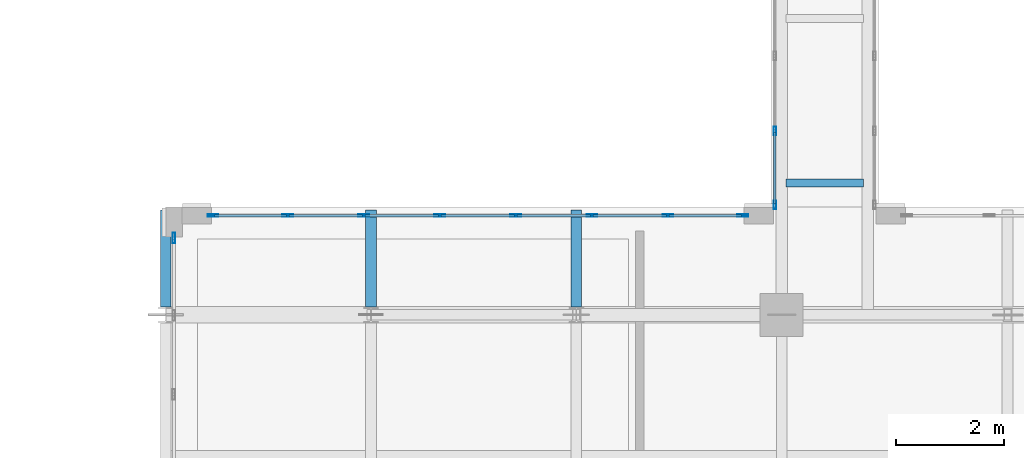
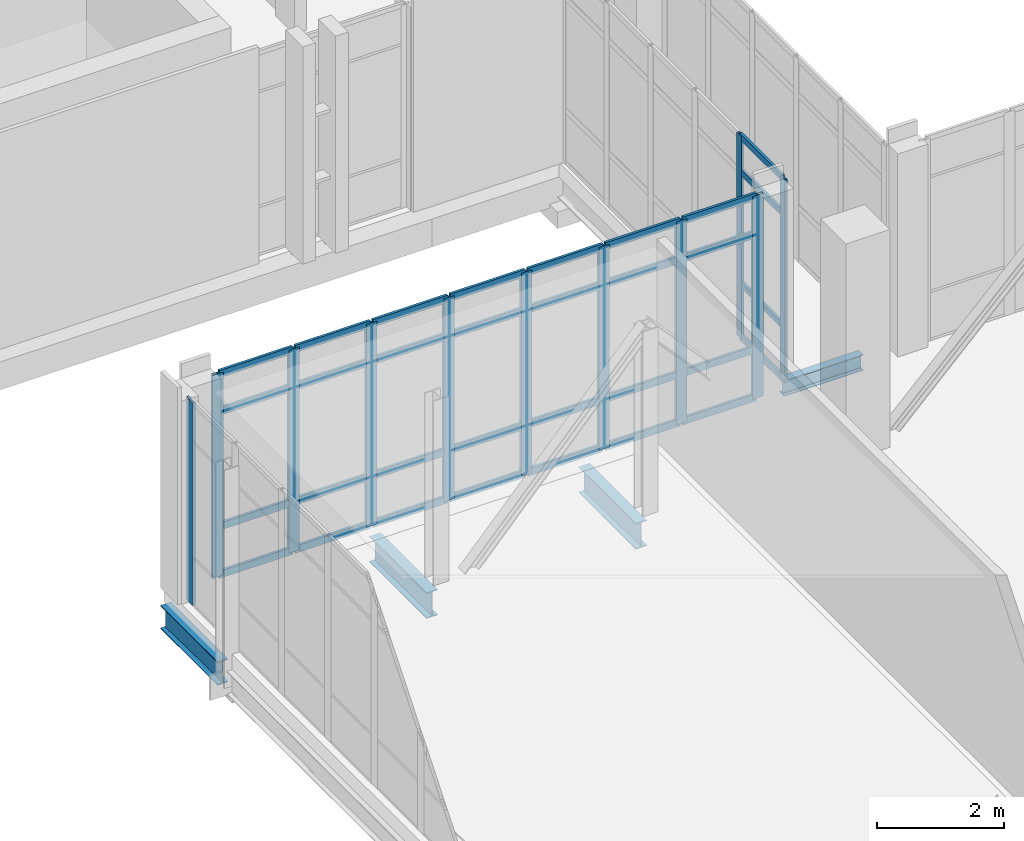
# One storey, part 17 of 193: 43 members, 4 beams, 3 elements without a shape of their own.
"""IFC4 building model written with IfcOpenShell, lengths in metres."""

from ifc_helpers import new_model, si_unit, direction, frame, origin, origin_2d, place, context, subcontext, project, spatial, hollow_rectangle, i_section, extrude, material, layer, layer_set, material_profile, profile_set, type_object, element, aggregate, save


model = new_model("IFC4")

# Units and contexts
model_context = context("Model", 3, precision=1e-05, world=origin(), true_north=direction((0.0, 1.0)))
body_context = subcontext(model_context, "Body", "Model", "MODEL_VIEW")
ifc_project = project(units=[si_unit("LENGTHUNIT", "METRE"), si_unit("AREAUNIT", "SQUARE_METRE"), si_unit("VOLUMEUNIT", "CUBIC_METRE"), si_unit("PLANEANGLEUNIT", "RADIAN"), si_unit("MASSUNIT", "GRAM", prefix="KILO")], contexts=[model_context])

# Site, building, storey
site_placement = place(None, origin())
site = spatial("IfcSite", under=ifc_project, at=site_placement, CompositionType="ELEMENT")
building_placement = place(site_placement, origin())
building = spatial("IfcBuilding", under=site, at=building_placement, Name="Qalavern Law Courts", CompositionType="ELEMENT")
storey_placement = place(building_placement, frame((0.0, 0.0, 10.199951171875)))
storey = spatial("IfcBuildingStorey", under=building, at=storey_placement, Name="L02", CompositionType="ELEMENT", Elevation=10.199951171875)

# Curtain wall, members
ifc_material_1 = material(Name="Anodised aluminium and insulated glazing", Category="aluminium")
ifc_layer_1 = layer(ifc_material_1, 0.14990234375)
ifc_layer_set_1 = layer_set([ifc_layer_1], Name="Anodised aluminium and insulated glazing")
curtain_wall_type_1 = type_object("IfcCurtainWallType", Name="ENV-CW-BRG", PredefinedType="USERDEFINED", material=ifc_layer_set_1)
curtain_wall_1_placement = place(storey_placement, origin())
curtain_wall_1 = element("IfcCurtainWall", 1, at=curtain_wall_1_placement, inside=storey, type_object=curtain_wall_type_1, Name="Bridge BR-V1-V3 glazed curtain wall L02-1", ObjectType="UNITISED CURTAIN WALL", PredefinedType="USERDEFINED")
ifc_material_2 = material(Name="Anodised aluminium", Category="aluminium")
ifc_material_profile_1 = material_profile(ifc_material_2, hollow_rectangle(XDim=0.048095703125, YDim=0.159912109375, WallThickness=0.00390625, at=origin_2d()), Name="ALU MULLION 48x160")
ifc_profile_set_1 = profile_set([ifc_material_profile_1], Name="Anodised aluminium")
member_type_1 = type_object("IfcMemberType", Name="ENV-CWM-48x160", PredefinedType="MULLION", material=ifc_profile_set_1)
member_1_placement = place(storey_placement, frame((16.675048828125, 35.416015625, 0.0), z_axis=(0.0, 0.0, 1.0), x_axis=(1.0, 0.0, 0.0)))
member_1 = element("IfcMember", 2, at=member_1_placement, type_object=member_type_1, Name="CW-06 mullion 5", PredefinedType="MULLION", context=body_context, shape_type="SweptSolid", body=[
    extrude(hollow_rectangle(XDim=0.048095703125, YDim=0.159912109375, WallThickness=0.00390625, at=origin_2d()), origin(), (0.0, 0.0, 1.0), 3.9150390625),
])
member_2_placement = place(storey_placement, frame((16.675048828125, 34.0439453125, 0.0), z_axis=(0.0, 0.0, 1.0), x_axis=(1.0, 0.0, 0.0)))
member_2 = element("IfcMember", 3, at=member_2_placement, type_object=member_type_1, Name="CW-06 mullion 6", PredefinedType="MULLION", context=body_context, shape_type="SweptSolid", body=[
    extrude(hollow_rectangle(XDim=0.048095703125, YDim=0.159912109375, WallThickness=0.00390625, at=origin_2d()), origin(), (0.0, 0.0, 1.0), 3.9150390625),
])

ifc_layer_2 = layer(ifc_material_1, 0.199951171875)
ifc_layer_set_2 = layer_set([ifc_layer_2], Name="Anodised aluminium and insulated glazing")
curtain_wall_type_2 = type_object("IfcCurtainWallType", Name="ENV-CW-FOYER", PredefinedType="USERDEFINED", material=ifc_layer_set_2)
curtain_wall_2_placement = place(storey_placement, origin())
curtain_wall_2 = element("IfcCurtainWall", 4, at=curtain_wall_2_placement, inside=storey, type_object=curtain_wall_type_2, Name="V1 unitised curtain wall L02 north 1", ObjectType="UNITISED CURTAIN WALL", PredefinedType="USERDEFINED")
ifc_material_profile_2 = material_profile(ifc_material_2, hollow_rectangle(XDim=0.048095703125, YDim=0.199951171875, WallThickness=0.00439453125, at=origin_2d()), Name="ALU MULLION 48x200")
ifc_profile_set_2 = profile_set([ifc_material_profile_2], Name="Anodised aluminium")
member_type_2 = type_object("IfcMemberType", Name="ENV-CWM-48x200", PredefinedType="MULLION", material=ifc_profile_set_2)
member_3_placement = place(storey_placement, frame((16.075927734375, 33.844970703125, 0.0), z_axis=(0.0, 0.0, 1.0), x_axis=(0.0, -1.0, 0.0)))
member_3 = element("IfcMember", 5, at=member_3_placement, type_object=member_type_2, Name="CW-01 mullion 1", PredefinedType="MULLION", context=body_context, shape_type="SweptSolid", body=[
    extrude(hollow_rectangle(XDim=0.048095703125, YDim=0.199951171875, WallThickness=0.00439453125, at=origin_2d()), origin(), (0.0, 0.0, 1.0), 3.9150390625),
])
member_4_placement = place(storey_placement, frame((14.6865234375, 33.844970703125, 0.0), z_axis=(0.0, 0.0, 1.0), x_axis=(0.0, -1.0, 0.0)))
member_4 = element("IfcMember", 6, at=member_4_placement, type_object=member_type_2, Name="CW-01 mullion 2", PredefinedType="MULLION", context=body_context, shape_type="SweptSolid", body=[
    extrude(hollow_rectangle(XDim=0.048095703125, YDim=0.199951171875, WallThickness=0.00439453125, at=origin_2d()), origin(), (0.0, 0.0, 1.0), 3.9150390625),
])
member_5_placement = place(storey_placement, frame((13.27294921875, 33.844970703125, 0.0), z_axis=(0.0, 0.0, 1.0), x_axis=(0.0, -1.0, 0.0)))
member_5 = element("IfcMember", 7, at=member_5_placement, type_object=member_type_2, Name="CW-01 mullion 3", PredefinedType="MULLION", context=body_context, shape_type="SweptSolid", body=[
    extrude(hollow_rectangle(XDim=0.048095703125, YDim=0.199951171875, WallThickness=0.00439453125, at=origin_2d()), origin(), (0.0, 0.0, 1.0), 3.9150390625),
])
member_6_placement = place(storey_placement, frame((11.859375, 33.844970703125, 0.0), z_axis=(0.0, 0.0, 1.0), x_axis=(0.0, -1.0, 0.0)))
member_6 = element("IfcMember", 8, at=member_6_placement, type_object=member_type_2, Name="CW-01 mullion 4", PredefinedType="MULLION", context=body_context, shape_type="SweptSolid", body=[
    extrude(hollow_rectangle(XDim=0.048095703125, YDim=0.199951171875, WallThickness=0.00439453125, at=origin_2d()), origin(), (0.0, 0.0, 1.0), 3.9150390625),
])
member_7_placement = place(storey_placement, frame((10.44580078125, 33.844970703125, 0.0), z_axis=(0.0, 0.0, 1.0), x_axis=(0.0, -1.0, 0.0)))
member_7 = element("IfcMember", 9, at=member_7_placement, type_object=member_type_2, Name="CW-01 mullion 5", PredefinedType="MULLION", context=body_context, shape_type="SweptSolid", body=[
    extrude(hollow_rectangle(XDim=0.048095703125, YDim=0.199951171875, WallThickness=0.00439453125, at=origin_2d()), origin(), (0.0, 0.0, 1.0), 3.9150390625),
])
member_8_placement = place(storey_placement, frame((9.0322265625, 33.844970703125, 0.0), z_axis=(0.0, 0.0, 1.0), x_axis=(0.0, -1.0, 0.0)))
member_8 = element("IfcMember", 10, at=member_8_placement, type_object=member_type_2, Name="CW-01 mullion 6", PredefinedType="MULLION", context=body_context, shape_type="SweptSolid", body=[
    extrude(hollow_rectangle(XDim=0.048095703125, YDim=0.199951171875, WallThickness=0.00439453125, at=origin_2d()), origin(), (0.0, 0.0, 1.0), 3.9150390625),
])
member_9_placement = place(storey_placement, frame((7.61865234375, 33.844970703125, 0.0), z_axis=(0.0, 0.0, 1.0), x_axis=(0.0, -1.0, 0.0)))
member_9 = element("IfcMember", 11, at=member_9_placement, type_object=member_type_2, Name="CW-01 mullion 7", PredefinedType="MULLION", context=body_context, shape_type="SweptSolid", body=[
    extrude(hollow_rectangle(XDim=0.048095703125, YDim=0.199951171875, WallThickness=0.00439453125, at=origin_2d()), origin(), (0.0, 0.0, 1.0), 3.9150390625),
])
member_10_placement = place(storey_placement, frame((6.22900390625, 33.844970703125, 0.0), z_axis=(0.0, 0.0, 1.0), x_axis=(0.0, -1.0, 0.0)))
member_10 = element("IfcMember", 12, at=member_10_placement, type_object=member_type_2, Name="CW-01 mullion 8", PredefinedType="MULLION", context=body_context, shape_type="SweptSolid", body=[
    extrude(hollow_rectangle(XDim=0.048095703125, YDim=0.199951171875, WallThickness=0.00439453125, at=origin_2d()), origin(), (0.0, 0.0, 1.0), 3.9150390625),
])

# Curtain wall, member
curtain_wall_3_placement = place(storey_placement, origin())
curtain_wall_3 = element("IfcCurtainWall", 13, at=curtain_wall_3_placement, inside=storey, type_object=curtain_wall_type_2, Name="V1 unitised curtain wall L02 west 1", ObjectType="UNITISED CURTAIN WALL", PredefinedType="USERDEFINED")
member_11_placement = place(storey_placement, frame((5.5048828125, 33.426025390625, 0.0), z_axis=(0.0, 0.0, 1.0), x_axis=(1.0, 0.0, 0.0)))
member_11 = element("IfcMember", 14, at=member_11_placement, type_object=member_type_2, Name="CW-01 mullion 1", PredefinedType="MULLION", context=body_context, shape_type="SweptSolid", body=[
    extrude(hollow_rectangle(XDim=0.048095703125, YDim=0.199951171875, WallThickness=0.00439453125, at=origin_2d()), origin(), (0.0, 0.0, 1.0), 3.9150390625),
])
aggregate(curtain_wall_3, [member_11])

# Member
ifc_material_profile_3 = material_profile(ifc_material_2, hollow_rectangle(XDim=0.048095703125, YDim=0.1201171875, WallThickness=0.00390625, at=origin_2d()), Name="ALU TRANSOM 48x120")
ifc_profile_set_3 = profile_set([ifc_material_profile_3], Name="Anodised aluminium")
member_type_3 = type_object("IfcMemberType", Name="ENV-CWT-48x120", PredefinedType="USERDEFINED", material=ifc_profile_set_3)
member_12_placement = place(storey_placement, frame((16.675048828125, 35.39208984375, 0.024169921875), z_axis=(0.0, -1.0, 0.0), x_axis=(1.0, 0.0, 0.0)))
member_12 = element("IfcMember", 15, at=member_12_placement, type_object=member_type_3, Name="CW-06 transom 5.1", ObjectType="TRANSOM", PredefinedType="USERDEFINED", context=body_context, shape_type="SweptSolid", body=[
    extrude(hollow_rectangle(XDim=0.048095703125, YDim=0.1201171875, WallThickness=0.00390625, at=origin_2d()), origin(), (0.0, 0.0, 1.0), 1.323974609375),
])

member_13_placement = place(storey_placement, frame((16.675048828125, 35.39208984375, 1.050048828125), z_axis=(0.0, -1.0, 0.0), x_axis=(1.0, 0.0, 0.0)))
member_13 = element("IfcMember", 16, at=member_13_placement, type_object=member_type_3, Name="CW-06 transom 5.2", ObjectType="TRANSOM", PredefinedType="USERDEFINED", context=body_context, shape_type="SweptSolid", body=[
    extrude(hollow_rectangle(XDim=0.048095703125, YDim=0.1201171875, WallThickness=0.00390625, at=origin_2d()), origin(), (0.0, 0.0, 1.0), 1.323974609375),
])

member_14_placement = place(storey_placement, frame((16.675048828125, 35.39208984375, 3.215087890625), z_axis=(0.0, -1.0, 0.0), x_axis=(1.0, 0.0, 0.0)))
member_14 = element("IfcMember", 17, at=member_14_placement, type_object=member_type_3, Name="CW-06 transom 5.3", ObjectType="TRANSOM", PredefinedType="USERDEFINED", context=body_context, shape_type="SweptSolid", body=[
    extrude(hollow_rectangle(XDim=0.048095703125, YDim=0.1201171875, WallThickness=0.00390625, at=origin_2d()), origin(), (0.0, 0.0, 1.0), 1.323974609375),
])

member_15_placement = place(storey_placement, frame((16.675048828125, 35.39208984375, 3.89111328125), z_axis=(0.0, -1.0, 0.0), x_axis=(1.0, 0.0, 0.0)))
member_15 = element("IfcMember", 18, at=member_15_placement, type_object=member_type_3, Name="CW-06 transom 5.4", ObjectType="TRANSOM", PredefinedType="USERDEFINED", context=body_context, shape_type="SweptSolid", body=[
    extrude(hollow_rectangle(XDim=0.048095703125, YDim=0.1201171875, WallThickness=0.00390625, at=origin_2d()), origin(), (0.0, 0.0, 1.0), 1.323974609375),
])

aggregate(curtain_wall_1, [member_1, member_2, member_12, member_13, member_14, member_15])

ifc_material_profile_4 = material_profile(ifc_material_2, hollow_rectangle(XDim=0.048095703125, YDim=0.139892578125, WallThickness=0.00390625, at=origin_2d()), Name="ALU TRANSOM 48x140")
ifc_profile_set_4 = profile_set([ifc_material_profile_4], Name="Anodised aluminium")
member_type_4 = type_object("IfcMemberType", Name="ENV-CWT-48x140", PredefinedType="USERDEFINED", material=ifc_profile_set_4)
member_16_placement = place(storey_placement, frame((16.052001953125, 33.844970703125, 0.024169921875), z_axis=(-1.0, 0.0, 0.0), x_axis=(0.0, -1.0, 0.0)))
member_16 = element("IfcMember", 19, at=member_16_placement, type_object=member_type_4, Name="CW-01 transom 1.1", ObjectType="TRANSOM", PredefinedType="USERDEFINED", context=body_context, shape_type="SweptSolid", body=[
    extrude(hollow_rectangle(XDim=0.048095703125, YDim=0.139892578125, WallThickness=0.00390625, at=origin_2d()), origin(), (0.0, 0.0, 1.0), 1.341552734375),
])

member_17_placement = place(storey_placement, frame((16.052001953125, 33.844970703125, 0.949951171875), z_axis=(-1.0, 0.0, 0.0), x_axis=(0.0, -1.0, 0.0)))
member_17 = element("IfcMember", 20, at=member_17_placement, type_object=member_type_4, Name="CW-01 transom 1.2", ObjectType="TRANSOM", PredefinedType="USERDEFINED", context=body_context, shape_type="SweptSolid", body=[
    extrude(hollow_rectangle(XDim=0.048095703125, YDim=0.139892578125, WallThickness=0.00390625, at=origin_2d()), origin(), (0.0, 0.0, 1.0), 1.341552734375),
])

member_18_placement = place(storey_placement, frame((16.052001953125, 33.844970703125, 3.1650390625), z_axis=(-1.0, 0.0, 0.0), x_axis=(0.0, -1.0, 0.0)))
member_18 = element("IfcMember", 21, at=member_18_placement, type_object=member_type_4, Name="CW-01 transom 1.3", ObjectType="TRANSOM", PredefinedType="USERDEFINED", context=body_context, shape_type="SweptSolid", body=[
    extrude(hollow_rectangle(XDim=0.048095703125, YDim=0.139892578125, WallThickness=0.00390625, at=origin_2d()), origin(), (0.0, 0.0, 1.0), 1.341552734375),
])

member_19_placement = place(storey_placement, frame((16.052001953125, 33.844970703125, 3.89111328125), z_axis=(-1.0, 0.0, 0.0), x_axis=(0.0, -1.0, 0.0)))
member_19 = element("IfcMember", 22, at=member_19_placement, type_object=member_type_4, Name="CW-01 transom 1.4", ObjectType="TRANSOM", PredefinedType="USERDEFINED", context=body_context, shape_type="SweptSolid", body=[
    extrude(hollow_rectangle(XDim=0.048095703125, YDim=0.139892578125, WallThickness=0.00390625, at=origin_2d()), origin(), (0.0, 0.0, 1.0), 1.341552734375),
])

member_20_placement = place(storey_placement, frame((14.662353515625, 33.844970703125, 0.024169921875), z_axis=(-1.0, 0.0, 0.0), x_axis=(0.0, -1.0, 0.0)))
member_20 = element("IfcMember", 23, at=member_20_placement, type_object=member_type_4, Name="CW-01 transom 2.1", ObjectType="TRANSOM", PredefinedType="USERDEFINED", context=body_context, shape_type="SweptSolid", body=[
    extrude(hollow_rectangle(XDim=0.048095703125, YDim=0.139892578125, WallThickness=0.00390625, at=origin_2d()), origin(), (0.0, 0.0, 1.0), 1.365478515625),
])

member_21_placement = place(storey_placement, frame((14.662353515625, 33.844970703125, 0.949951171875), z_axis=(-1.0, 0.0, 0.0), x_axis=(0.0, -1.0, 0.0)))
member_21 = element("IfcMember", 24, at=member_21_placement, type_object=member_type_4, Name="CW-01 transom 2.2", ObjectType="TRANSOM", PredefinedType="USERDEFINED", context=body_context, shape_type="SweptSolid", body=[
    extrude(hollow_rectangle(XDim=0.048095703125, YDim=0.139892578125, WallThickness=0.00390625, at=origin_2d()), origin(), (0.0, 0.0, 1.0), 1.365478515625),
])

member_22_placement = place(storey_placement, frame((14.662353515625, 33.844970703125, 3.1650390625), z_axis=(-1.0, 0.0, 0.0), x_axis=(0.0, -1.0, 0.0)))
member_22 = element("IfcMember", 25, at=member_22_placement, type_object=member_type_4, Name="CW-01 transom 2.3", ObjectType="TRANSOM", PredefinedType="USERDEFINED", context=body_context, shape_type="SweptSolid", body=[
    extrude(hollow_rectangle(XDim=0.048095703125, YDim=0.139892578125, WallThickness=0.00390625, at=origin_2d()), origin(), (0.0, 0.0, 1.0), 1.365478515625),
])

member_23_placement = place(storey_placement, frame((14.662353515625, 33.844970703125, 3.89111328125), z_axis=(-1.0, 0.0, 0.0), x_axis=(0.0, -1.0, 0.0)))
member_23 = element("IfcMember", 26, at=member_23_placement, type_object=member_type_4, Name="CW-01 transom 2.4", ObjectType="TRANSOM", PredefinedType="USERDEFINED", context=body_context, shape_type="SweptSolid", body=[
    extrude(hollow_rectangle(XDim=0.048095703125, YDim=0.139892578125, WallThickness=0.00390625, at=origin_2d()), origin(), (0.0, 0.0, 1.0), 1.365478515625),
])

member_24_placement = place(storey_placement, frame((13.248779296875, 33.844970703125, 0.024169921875), z_axis=(-1.0, 0.0, 0.0), x_axis=(0.0, -1.0, 0.0)))
member_24 = element("IfcMember", 27, at=member_24_placement, type_object=member_type_4, Name="CW-01 transom 3.1", ObjectType="TRANSOM", PredefinedType="USERDEFINED", context=body_context, shape_type="SweptSolid", body=[
    extrude(hollow_rectangle(XDim=0.048095703125, YDim=0.139892578125, WallThickness=0.00390625, at=origin_2d()), origin(), (0.0, 0.0, 1.0), 1.365478515625),
])

member_25_placement = place(storey_placement, frame((13.248779296875, 33.844970703125, 0.949951171875), z_axis=(-1.0, 0.0, 0.0), x_axis=(0.0, -1.0, 0.0)))
member_25 = element("IfcMember", 28, at=member_25_placement, type_object=member_type_4, Name="CW-01 transom 3.2", ObjectType="TRANSOM", PredefinedType="USERDEFINED", context=body_context, shape_type="SweptSolid", body=[
    extrude(hollow_rectangle(XDim=0.048095703125, YDim=0.139892578125, WallThickness=0.00390625, at=origin_2d()), origin(), (0.0, 0.0, 1.0), 1.365478515625),
])

member_26_placement = place(storey_placement, frame((13.248779296875, 33.844970703125, 3.1650390625), z_axis=(-1.0, 0.0, 0.0), x_axis=(0.0, -1.0, 0.0)))
member_26 = element("IfcMember", 29, at=member_26_placement, type_object=member_type_4, Name="CW-01 transom 3.3", ObjectType="TRANSOM", PredefinedType="USERDEFINED", context=body_context, shape_type="SweptSolid", body=[
    extrude(hollow_rectangle(XDim=0.048095703125, YDim=0.139892578125, WallThickness=0.00390625, at=origin_2d()), origin(), (0.0, 0.0, 1.0), 1.365478515625),
])

member_27_placement = place(storey_placement, frame((13.248779296875, 33.844970703125, 3.89111328125), z_axis=(-1.0, 0.0, 0.0), x_axis=(0.0, -1.0, 0.0)))
member_27 = element("IfcMember", 30, at=member_27_placement, type_object=member_type_4, Name="CW-01 transom 3.4", ObjectType="TRANSOM", PredefinedType="USERDEFINED", context=body_context, shape_type="SweptSolid", body=[
    extrude(hollow_rectangle(XDim=0.048095703125, YDim=0.139892578125, WallThickness=0.00390625, at=origin_2d()), origin(), (0.0, 0.0, 1.0), 1.365478515625),
])

member_28_placement = place(storey_placement, frame((11.835205078125, 33.844970703125, 0.024169921875), z_axis=(-1.0, 0.0, 0.0), x_axis=(0.0, -1.0, 0.0)))
member_28 = element("IfcMember", 31, at=member_28_placement, type_object=member_type_4, Name="CW-01 transom 4.1", ObjectType="TRANSOM", PredefinedType="USERDEFINED", context=body_context, shape_type="SweptSolid", body=[
    extrude(hollow_rectangle(XDim=0.048095703125, YDim=0.139892578125, WallThickness=0.00390625, at=origin_2d()), origin(), (0.0, 0.0, 1.0), 1.365478515625),
])

member_29_placement = place(storey_placement, frame((11.835205078125, 33.844970703125, 0.949951171875), z_axis=(-1.0, 0.0, 0.0), x_axis=(0.0, -1.0, 0.0)))
member_29 = element("IfcMember", 32, at=member_29_placement, type_object=member_type_4, Name="CW-01 transom 4.2", ObjectType="TRANSOM", PredefinedType="USERDEFINED", context=body_context, shape_type="SweptSolid", body=[
    extrude(hollow_rectangle(XDim=0.048095703125, YDim=0.139892578125, WallThickness=0.00390625, at=origin_2d()), origin(), (0.0, 0.0, 1.0), 1.365478515625),
])

member_30_placement = place(storey_placement, frame((11.835205078125, 33.844970703125, 3.1650390625), z_axis=(-1.0, 0.0, 0.0), x_axis=(0.0, -1.0, 0.0)))
member_30 = element("IfcMember", 33, at=member_30_placement, type_object=member_type_4, Name="CW-01 transom 4.3", ObjectType="TRANSOM", PredefinedType="USERDEFINED", context=body_context, shape_type="SweptSolid", body=[
    extrude(hollow_rectangle(XDim=0.048095703125, YDim=0.139892578125, WallThickness=0.00390625, at=origin_2d()), origin(), (0.0, 0.0, 1.0), 1.365478515625),
])

member_31_placement = place(storey_placement, frame((11.835205078125, 33.844970703125, 3.89111328125), z_axis=(-1.0, 0.0, 0.0), x_axis=(0.0, -1.0, 0.0)))
member_31 = element("IfcMember", 34, at=member_31_placement, type_object=member_type_4, Name="CW-01 transom 4.4", ObjectType="TRANSOM", PredefinedType="USERDEFINED", context=body_context, shape_type="SweptSolid", body=[
    extrude(hollow_rectangle(XDim=0.048095703125, YDim=0.139892578125, WallThickness=0.00390625, at=origin_2d()), origin(), (0.0, 0.0, 1.0), 1.365478515625),
])

member_32_placement = place(storey_placement, frame((10.421630859375, 33.844970703125, 0.024169921875), z_axis=(-1.0, 0.0, 0.0), x_axis=(0.0, -1.0, 0.0)))
member_32 = element("IfcMember", 35, at=member_32_placement, type_object=member_type_4, Name="CW-01 transom 5.1", ObjectType="TRANSOM", PredefinedType="USERDEFINED", context=body_context, shape_type="SweptSolid", body=[
    extrude(hollow_rectangle(XDim=0.048095703125, YDim=0.139892578125, WallThickness=0.00390625, at=origin_2d()), origin(), (0.0, 0.0, 1.0), 1.365478515625),
])

member_33_placement = place(storey_placement, frame((10.421630859375, 33.844970703125, 0.949951171875), z_axis=(-1.0, 0.0, 0.0), x_axis=(0.0, -1.0, 0.0)))
member_33 = element("IfcMember", 36, at=member_33_placement, type_object=member_type_4, Name="CW-01 transom 5.2", ObjectType="TRANSOM", PredefinedType="USERDEFINED", context=body_context, shape_type="SweptSolid", body=[
    extrude(hollow_rectangle(XDim=0.048095703125, YDim=0.139892578125, WallThickness=0.00390625, at=origin_2d()), origin(), (0.0, 0.0, 1.0), 1.365478515625),
])

member_34_placement = place(storey_placement, frame((10.421630859375, 33.844970703125, 3.1650390625), z_axis=(-1.0, 0.0, 0.0), x_axis=(0.0, -1.0, 0.0)))
member_34 = element("IfcMember", 37, at=member_34_placement, type_object=member_type_4, Name="CW-01 transom 5.3", ObjectType="TRANSOM", PredefinedType="USERDEFINED", context=body_context, shape_type="SweptSolid", body=[
    extrude(hollow_rectangle(XDim=0.048095703125, YDim=0.139892578125, WallThickness=0.00390625, at=origin_2d()), origin(), (0.0, 0.0, 1.0), 1.365478515625),
])

member_35_placement = place(storey_placement, frame((10.421630859375, 33.844970703125, 3.89111328125), z_axis=(-1.0, 0.0, 0.0), x_axis=(0.0, -1.0, 0.0)))
member_35 = element("IfcMember", 38, at=member_35_placement, type_object=member_type_4, Name="CW-01 transom 5.4", ObjectType="TRANSOM", PredefinedType="USERDEFINED", context=body_context, shape_type="SweptSolid", body=[
    extrude(hollow_rectangle(XDim=0.048095703125, YDim=0.139892578125, WallThickness=0.00390625, at=origin_2d()), origin(), (0.0, 0.0, 1.0), 1.365478515625),
])

member_36_placement = place(storey_placement, frame((9.008056640625, 33.844970703125, 0.024169921875), z_axis=(-1.0, 0.0, 0.0), x_axis=(0.0, -1.0, 0.0)))
member_36 = element("IfcMember", 39, at=member_36_placement, type_object=member_type_4, Name="CW-01 transom 6.1", ObjectType="TRANSOM", PredefinedType="USERDEFINED", context=body_context, shape_type="SweptSolid", body=[
    extrude(hollow_rectangle(XDim=0.048095703125, YDim=0.139892578125, WallThickness=0.00390625, at=origin_2d()), origin(), (0.0, 0.0, 1.0), 1.365478515625),
])

member_37_placement = place(storey_placement, frame((9.008056640625, 33.844970703125, 0.949951171875), z_axis=(-1.0, 0.0, 0.0), x_axis=(0.0, -1.0, 0.0)))
member_37 = element("IfcMember", 40, at=member_37_placement, type_object=member_type_4, Name="CW-01 transom 6.2", ObjectType="TRANSOM", PredefinedType="USERDEFINED", context=body_context, shape_type="SweptSolid", body=[
    extrude(hollow_rectangle(XDim=0.048095703125, YDim=0.139892578125, WallThickness=0.00390625, at=origin_2d()), origin(), (0.0, 0.0, 1.0), 1.365478515625),
])

member_38_placement = place(storey_placement, frame((9.008056640625, 33.844970703125, 3.1650390625), z_axis=(-1.0, 0.0, 0.0), x_axis=(0.0, -1.0, 0.0)))
member_38 = element("IfcMember", 41, at=member_38_placement, type_object=member_type_4, Name="CW-01 transom 6.3", ObjectType="TRANSOM", PredefinedType="USERDEFINED", context=body_context, shape_type="SweptSolid", body=[
    extrude(hollow_rectangle(XDim=0.048095703125, YDim=0.139892578125, WallThickness=0.00390625, at=origin_2d()), origin(), (0.0, 0.0, 1.0), 1.365478515625),
])

member_39_placement = place(storey_placement, frame((9.008056640625, 33.844970703125, 3.89111328125), z_axis=(-1.0, 0.0, 0.0), x_axis=(0.0, -1.0, 0.0)))
member_39 = element("IfcMember", 42, at=member_39_placement, type_object=member_type_4, Name="CW-01 transom 6.4", ObjectType="TRANSOM", PredefinedType="USERDEFINED", context=body_context, shape_type="SweptSolid", body=[
    extrude(hollow_rectangle(XDim=0.048095703125, YDim=0.139892578125, WallThickness=0.00390625, at=origin_2d()), origin(), (0.0, 0.0, 1.0), 1.365478515625),
])

member_40_placement = place(storey_placement, frame((7.594482421875, 33.844970703125, 0.024169921875), z_axis=(-1.0, 0.0, 0.0), x_axis=(0.0, -1.0, 0.0)))
member_40 = element("IfcMember", 43, at=member_40_placement, type_object=member_type_4, Name="CW-01 transom 7.1", ObjectType="TRANSOM", PredefinedType="USERDEFINED", context=body_context, shape_type="SweptSolid", body=[
    extrude(hollow_rectangle(XDim=0.048095703125, YDim=0.139892578125, WallThickness=0.00390625, at=origin_2d()), origin(), (0.0, 0.0, 1.0), 1.341552734375),
])

member_41_placement = place(storey_placement, frame((7.594482421875, 33.844970703125, 0.949951171875), z_axis=(-1.0, 0.0, 0.0), x_axis=(0.0, -1.0, 0.0)))
member_41 = element("IfcMember", 44, at=member_41_placement, type_object=member_type_4, Name="CW-01 transom 7.2", ObjectType="TRANSOM", PredefinedType="USERDEFINED", context=body_context, shape_type="SweptSolid", body=[
    extrude(hollow_rectangle(XDim=0.048095703125, YDim=0.139892578125, WallThickness=0.00390625, at=origin_2d()), origin(), (0.0, 0.0, 1.0), 1.341552734375),
])

member_42_placement = place(storey_placement, frame((7.594482421875, 33.844970703125, 3.1650390625), z_axis=(-1.0, 0.0, 0.0), x_axis=(0.0, -1.0, 0.0)))
member_42 = element("IfcMember", 45, at=member_42_placement, type_object=member_type_4, Name="CW-01 transom 7.3", ObjectType="TRANSOM", PredefinedType="USERDEFINED", context=body_context, shape_type="SweptSolid", body=[
    extrude(hollow_rectangle(XDim=0.048095703125, YDim=0.139892578125, WallThickness=0.00390625, at=origin_2d()), origin(), (0.0, 0.0, 1.0), 1.341552734375),
])

member_43_placement = place(storey_placement, frame((7.594482421875, 33.844970703125, 3.89111328125), z_axis=(-1.0, 0.0, 0.0), x_axis=(0.0, -1.0, 0.0)))
member_43 = element("IfcMember", 46, at=member_43_placement, type_object=member_type_4, Name="CW-01 transom 7.4", ObjectType="TRANSOM", PredefinedType="USERDEFINED", context=body_context, shape_type="SweptSolid", body=[
    extrude(hollow_rectangle(XDim=0.048095703125, YDim=0.139892578125, WallThickness=0.00390625, at=origin_2d()), origin(), (0.0, 0.0, 1.0), 1.341552734375),
])

aggregate(curtain_wall_2, [member_3, member_4, member_5, member_6, member_7, member_8, member_9, member_10, member_16, member_17, member_18, member_19, member_20, member_21, member_22, member_23, member_24, member_25, member_26, member_27, member_28, member_29, member_30, member_31, member_32, member_33, member_34, member_35, member_36, member_37, member_38, member_39, member_40, member_41, member_42, member_43])

# Beams
ifc_material_3 = material(Name="Steel S355", Category="steel")
ifc_material_profile_5 = material_profile(ifc_material_3, i_section(OverallWidth=0.199951171875, OverallDepth=0.5, WebThickness=0.01025390625, FlangeThickness=0.01611328125, FilletRadius=0.02099609375, at=origin_2d()), Name="IPE 500")
ifc_profile_set_5 = profile_set([ifc_material_profile_5], Name="Steel S355")
beam_type_1 = type_object("IfcBeamType", Name="STR-BM-IPE500", PredefinedType="BEAM", material=ifc_profile_set_5)
for number, where, z_axis, x_axis, name in (
    (47, (12.9833984375, 32.14794921875, -0.5400390625), (0.0, 1.0, 0.0), (-1.0, 0.0, 0.0), "Foyer transverse beam L02-6.4"),
    (48, (9.166748046875, 32.14794921875, -0.5400390625), (0.0, 1.0, 0.0), (-1.0, 0.0, 0.0), "Foyer transverse beam L02-7.4"),
):
    element("IfcBeam", number, at=place(storey_placement, frame(where, z_axis=z_axis, x_axis=x_axis)), inside=storey, type_object=beam_type_1, Name=name, PredefinedType="BEAM", context=body_context, shape_type="SweptSolid", body=[
        extrude(i_section(OverallWidth=0.199951171875, OverallDepth=0.5, WebThickness=0.01025390625, FlangeThickness=0.01611328125, FilletRadius=0.02099609375, at=origin_2d()), origin(), (0.0, 0.0, 1.0), 1.802001953125),
    ])
ifc_material_profile_6 = material_profile(ifc_material_3, i_section(OverallWidth=0.14990234375, OverallDepth=0.300048828125, WebThickness=0.007080078125, FlangeThickness=0.0107421875, FilletRadius=0.014892578125, at=origin_2d()), Name="IPE 300")
ifc_profile_set_6 = profile_set([ifc_material_profile_6], Name="Steel S355")
beam_type_2 = type_object("IfcBeamType", Name="STR-JST-IPE300", PredefinedType="JOIST", material=ifc_profile_set_6)
beam_1_placement = place(storey_placement, frame((16.8798828125, 34.449951171875, -0.43994140625), z_axis=(1.0, 0.0, 0.0), x_axis=(0.0, 1.0, 0.0)))
element("IfcBeam", 49, at=beam_1_placement, inside=storey, type_object=beam_type_2, Name="Bridge BR-V1-V3 cross beam 1 L02", PredefinedType="JOIST", context=body_context, shape_type="SweptSolid", body=[
    extrude(i_section(OverallWidth=0.14990234375, OverallDepth=0.300048828125, WebThickness=0.007080078125, FlangeThickness=0.0107421875, FilletRadius=0.014892578125, at=origin_2d()), origin(), (0.0, 0.0, 1.0), 1.440185546875),
])
ifc_material_profile_7 = material_profile(ifc_material_3, i_section(OverallWidth=0.18994140625, OverallDepth=0.449951171875, WebThickness=0.009521484375, FlangeThickness=0.0146484375, FilletRadius=0.02099609375, at=origin_2d()), Name="IPE 450")
ifc_profile_set_7 = profile_set([ifc_material_profile_7], Name="Steel S355")
beam_type_3 = type_object("IfcBeamType", Name="STR-SP-IPE450", PredefinedType="SPANDREL", material=ifc_profile_set_7)
beam_2_placement = place(storey_placement, frame((5.35009765625, 32.14794921875, -0.514892578125), z_axis=(0.0, 1.0, 0.0), x_axis=(-1.0, 0.0, 0.0)))
element("IfcBeam", 50, at=beam_2_placement, inside=storey, type_object=beam_type_3, Name="Foyer transverse beam L02-8.4", PredefinedType="SPANDREL", context=body_context, shape_type="SweptSolid", body=[
    extrude(i_section(OverallWidth=0.18994140625, OverallDepth=0.449951171875, WebThickness=0.009521484375, FlangeThickness=0.0146484375, FilletRadius=0.02099609375, at=origin_2d()), origin(), (0.0, 0.0, 1.0), 1.802001953125),
])

save(model, "model.ifc")
